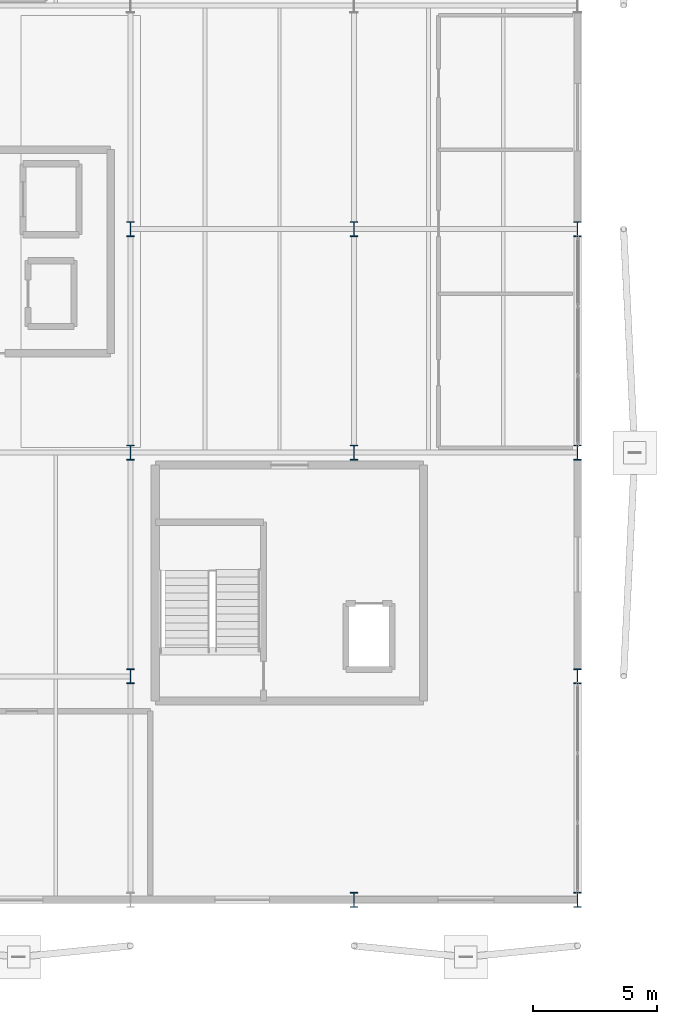
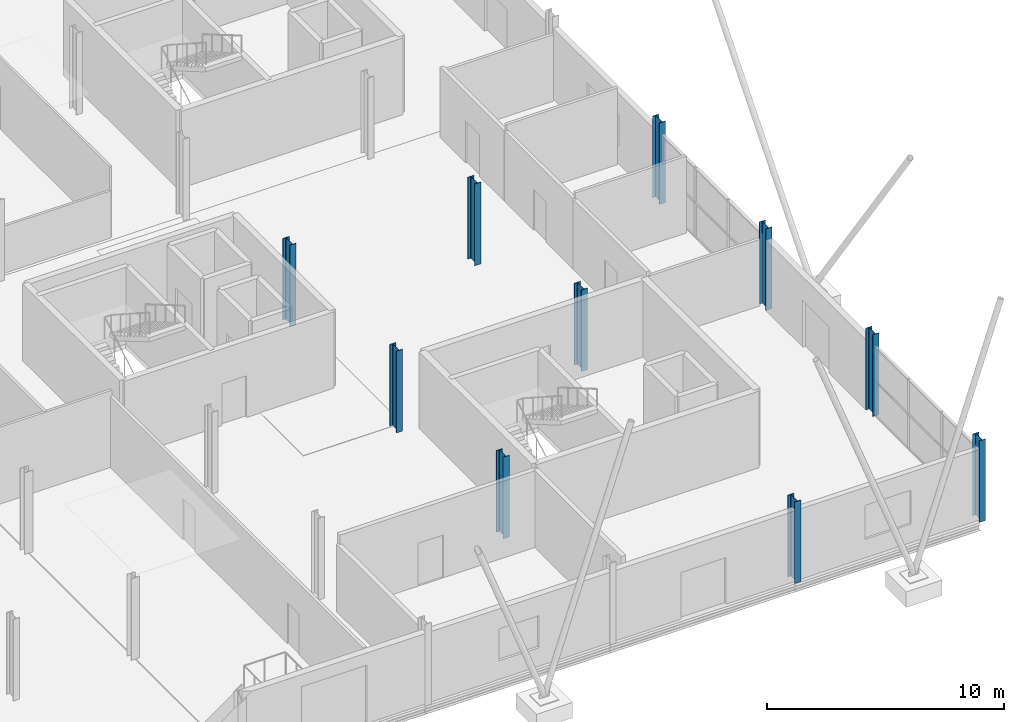
# One storey, part 17 of 140: 10 columns.
"""IFC4 building model written with IfcOpenShell, lengths in metres."""

from ifc_helpers import new_model, si_unit, direction, frame, origin, origin_2d, place, context, subcontext, project, spatial, i_section, extrude, material, material_profile, profile_set, type_object, element, save


model = new_model("IFC4")

# Units and contexts
model_context = context("Model", 3, precision=1e-05, world=origin(), true_north=direction((0.0, 1.0)))
body_context = subcontext(model_context, "Body", "Model", "MODEL_VIEW")
ifc_project = project(units=[si_unit("LENGTHUNIT", "METRE"), si_unit("AREAUNIT", "SQUARE_METRE"), si_unit("VOLUMEUNIT", "CUBIC_METRE"), si_unit("PLANEANGLEUNIT", "RADIAN"), si_unit("MASSUNIT", "GRAM", prefix="KILO")], contexts=[model_context])

# Site, building, storey
site_placement = place(None, origin())
site = spatial("IfcSite", under=ifc_project, at=site_placement, CompositionType="ELEMENT")
building_placement = place(site_placement, origin())
building = spatial("IfcBuilding", under=site, at=building_placement, Name="Deido Ridge Mobility Hub", CompositionType="ELEMENT")
storey_placement = place(building_placement, origin())
storey = spatial("IfcBuildingStorey", under=building, at=storey_placement, Name="L00", CompositionType="ELEMENT", Elevation=0.0)

# Columns
ifc_material = material(Name="Steel S355J2 EN 10025-2", Category="steel")
ifc_material_profile = material_profile(ifc_material, i_section(OverallWidth=0.300048828125, OverallDepth=0.60009765625, WebThickness=0.015380859375, FlangeThickness=0.030029296875, FilletRadius=0.027099609375, at=origin_2d()), Name="HEB 600")
ifc_profile_set = profile_set([ifc_material_profile], Name="Steel S355J2 EN 10025-2")
column_type = type_object("IfcColumnType", Name="COL-HEB600", PredefinedType="COLUMN", material=ifc_profile_set)
for number, where, z_axis, x_axis, name in (
    (1, (171.0, 0.0, 0.0), (0.0, 0.0, 1.0), (1.0, 0.0, 0.0), "Structural column C4"),
    (2, (180.0, 0.0, 0.0), (0.0, 0.0, 1.0), (1.0, 0.0, 0.0), "Structural column C4"),
    (3, (162.0, 9.0, 0.0), (0.0, 0.0, 1.0), (1.0, 0.0, 0.0), "Structural column C4"),
    (4, (180.0, 9.0, 0.0), (0.0, 0.0, 1.0), (1.0, 0.0, 0.0), "Structural column C4"),
    (5, (162.0, 18.0, 0.0), (0.0, 0.0, 1.0), (1.0, 0.0, 0.0), "Structural column C4"),
    (6, (171.0, 18.0, 0.0), (0.0, 0.0, 1.0), (1.0, 0.0, 0.0), "Structural column C4"),
    (7, (180.0, 18.0, 0.0), (0.0, 0.0, 1.0), (1.0, 0.0, 0.0), "Structural column C4"),
    (8, (162.0, 27.0, 0.0), (0.0, 0.0, 1.0), (1.0, 0.0, 0.0), "Structural column C4"),
    (9, (171.0, 27.0, 0.0), (0.0, 0.0, 1.0), (1.0, 0.0, 0.0), "Structural column C4"),
    (10, (180.0, 27.0, 0.0), (0.0, 0.0, 1.0), (1.0, 0.0, 0.0), "Structural column C4"),
):
    element("IfcColumn", number, at=place(storey_placement, frame(where, z_axis=z_axis, x_axis=x_axis)), inside=storey, type_object=column_type, Name=name, PredefinedType="COLUMN", context=body_context, shape_type="SweptSolid", body=[
        extrude(i_section(OverallWidth=0.300048828125, OverallDepth=0.60009765625, WebThickness=0.015380859375, FlangeThickness=0.030029296875, FilletRadius=0.027099609375, at=origin_2d()), origin(), (0.0, 0.0, 1.0), 4.199951171875),
    ])

save(model, "model.ifc")
